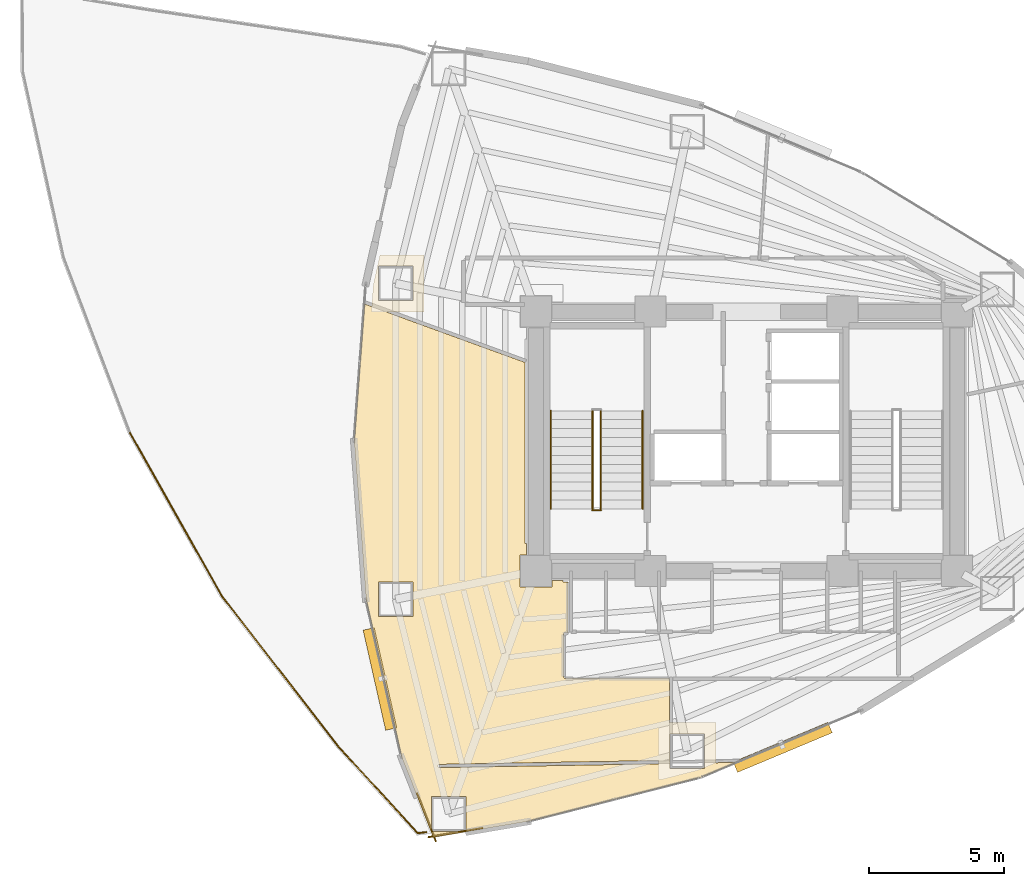
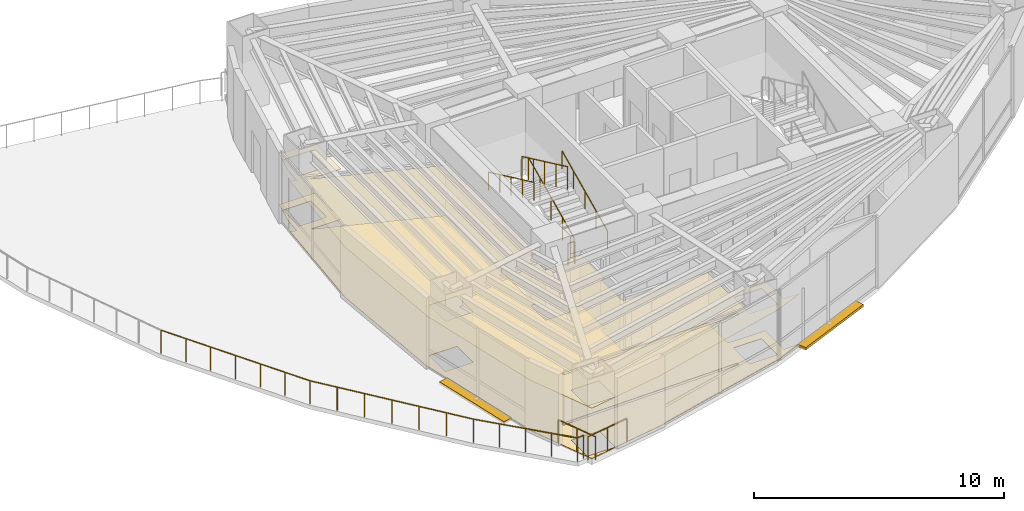
# One storey, part 17 of 19: 11 railings, 2 coverings, 2 shading devices.
"""IFC4 building model written with IfcOpenShell, lengths in metres."""

from ifc_helpers import new_model, si_unit, direction, frame, origin, origin_2d, place, context, subcontext, project, spatial, polyline, rectangle, circle, outline, extrude, material, layer, layer_set, type_object, element, save


model = new_model("IFC4")

# Units and contexts
model_context = context("Model", 3, precision=1e-05, world=origin(), true_north=direction((0.0, 1.0)))
body_context = subcontext(model_context, "Body", "Model", "MODEL_VIEW")
ifc_project = project(units=[si_unit("LENGTHUNIT", "METRE"), si_unit("AREAUNIT", "SQUARE_METRE"), si_unit("VOLUMEUNIT", "CUBIC_METRE"), si_unit("PLANEANGLEUNIT", "RADIAN"), si_unit("MASSUNIT", "GRAM", prefix="KILO")], contexts=[model_context])

# Site, building, storey
site_placement = place(None, origin())
site = spatial("IfcSite", under=ifc_project, at=site_placement, CompositionType="ELEMENT")
building_placement = place(site_placement, origin())
building = spatial("IfcBuilding", under=site, at=building_placement, Name="Menara Vayukalpa", CompositionType="ELEMENT")
storey_placement = place(building_placement, frame((0.0, 0.0, 118.860107421875)))
storey = spatial("IfcBuildingStorey", under=building, at=storey_placement, Name="L29", CompositionType="ELEMENT", Elevation=118.860107421875)

# Coverings
ifc_material_1 = material(Name="Mineral Fibre Acoustic Ceiling Tile", Category="masonry")
ifc_layer_1 = layer(ifc_material_1, 0.02490234375)
ifc_layer_set_1 = layer_set([ifc_layer_1], Name="Mineral Fibre Acoustic Ceiling Tile")
covering_type_1 = type_object("IfcCoveringType", Name="COV-CLG1", PredefinedType="CEILING", material=ifc_layer_set_1)
covering_1_placement = place(storey_placement, frame((0.0, 0.0, 2.449951171875)))
element("IfcCovering", 1, at=covering_1_placement, inside=storey, type_object=covering_type_1, Name="L29 Executive Boardroom Acoustic Ceiling", PredefinedType="CEILING", context=body_context, shape_type="SweptSolid", body=[
    extrude(outline(polyline([(25.16650390625, 10.11083984375), (25.16748046875, 10.11083984375), (25.16845703125, 10.110595703125), (25.16943359375, 10.1103515625), (25.17041015625, 10.110107421875), (25.17138671875, 10.109619140625), (25.172119140625, 10.109130859375), (25.1728515625, 10.108642578125), (25.173583984375, 10.10791015625), (25.17431640625, 10.107177734375), (25.1748046875, 10.1064453125), (25.175537109375, 10.105712890625), (25.17578125, 10.104736328125), (25.17626953125, 10.103759765625), (25.176513671875, 10.102783203125), (25.176513671875, 10.101806640625), (25.1767578125, 10.100830078125), (25.1767578125, 10.099853515625), (25.176513671875, 10.098876953125), (25.17626953125, 10.097900390625), (25.176025390625, 10.096923828125), (25.175537109375, 10.09619140625), (25.175048828125, 10.09521484375), (25.174560546875, 10.094482421875), (25.173828125, 10.09375), (25.173095703125, 10.093017578125), (25.17236328125, 10.092529296875), (25.17138671875, 10.092041015625), (25.170654296875, 10.091552734375), (23.90478515625, 9.562255859375), (23.903564453125, 9.561767578125), (17.5087890625, 7.930908203125), (17.5078125, 7.9306640625), (14.00830078125, 7.33642578125), (14.00732421875, 7.33642578125), (14.00634765625, 7.33642578125), (14.005615234375, 7.33642578125), (14.00439453125, 7.336669921875), (14.003662109375, 7.3369140625), (14.002685546875, 7.33740234375), (14.001708984375, 7.337646484375), (14.0009765625, 7.338134765625), (14.000244140625, 7.3388671875), (13.99951171875, 7.339599609375), (13.998779296875, 7.340087890625), (13.998291015625, 7.341064453125), (13.997802734375, 7.341796875), (13.997314453125, 7.3427734375), (12.831787109375, 10.310791015625), (12.83154296875, 10.3115234375), (12.831298828125, 10.312255859375), (11.5166015625, 16.155029296875), (11.516357421875, 16.156494140625), (11.078369140625, 21.999267578125), (11.078369140625, 22.0), (11.078369140625, 22.000732421875), (11.45849609375, 27.069580078125), (11.45849609375, 27.07080078125), (11.458740234375, 27.07177734375), (11.458984375, 27.072509765625), (11.45947265625, 27.073486328125), (11.4599609375, 27.07421875), (11.46044921875, 27.0751953125), (11.461181640625, 27.07568359375), (11.4619140625, 27.076416015625), (11.462646484375, 27.0771484375), (11.46337890625, 27.07763671875), (11.46435546875, 27.078125), (11.465087890625, 27.07861328125), (11.466064453125, 27.07861328125), (11.467041015625, 27.078857421875), (11.468017578125, 27.0791015625), (11.468994140625, 27.0791015625), (11.469970703125, 27.078857421875), (11.470947265625, 27.07861328125), (11.4716796875, 27.078369140625), (11.722900390625, 26.987060546875), (11.7841796875, 27.80419921875), (12.031982421875, 28.90576171875), (13.66650390625, 28.90576171875), (13.66650390625, 26.78564453125), (12.27587890625, 26.78564453125), (17.38330078125, 24.9267578125), (17.384521484375, 24.92626953125), (17.38525390625, 24.92578125), (17.385986328125, 24.92529296875), (17.386962890625, 24.924560546875), (17.3876953125, 24.923828125), (17.38818359375, 24.923095703125), (17.388671875, 24.922119140625), (17.38916015625, 24.92138671875), (17.389404296875, 24.92041015625), (17.389892578125, 24.919189453125), (17.389892578125, 24.918212890625), (17.389892578125, 24.917236328125), (17.389892578125, 18.2099609375), (17.449951171875, 18.2099609375), (17.449951171875, 17.7900390625), (17.2099609375, 17.7900390625), (17.2099609375, 16.610107421875), (18.389892578125, 16.610107421875), (18.389892578125, 16.85009765625), (18.81005859375, 16.85009765625), (18.81005859375, 16.7900390625), (18.97998046875, 16.7900390625), (18.98095703125, 16.7900390625), (18.98193359375, 16.789794921875), (18.98291015625, 16.78955078125), (18.98388671875, 16.789306640625), (18.984619140625, 16.788818359375), (18.985595703125, 16.788330078125), (18.986328125, 16.78759765625), (18.987060546875, 16.787109375), (18.98779296875, 16.786376953125), (18.98828125, 16.78564453125), (18.98876953125, 16.78466796875), (18.9892578125, 16.78369140625), (18.989501953125, 16.782958984375), (18.98974609375, 16.781982421875), (18.989990234375, 16.781005859375), (18.989990234375, 16.780029296875), (18.989990234375, 14.929931640625), (18.989990234375, 14.928955078125), (18.98974609375, 14.927978515625), (18.989501953125, 14.927001953125), (18.9892578125, 14.92626953125), (18.98876953125, 14.92529296875), (18.98828125, 14.92431640625), (18.98779296875, 14.923583984375), (18.987060546875, 14.9228515625), (18.986328125, 14.92236328125), (18.985595703125, 14.921630859375), (18.984619140625, 14.921142578125), (18.98388671875, 14.9208984375), (18.98291015625, 14.92041015625), (18.98193359375, 14.920166015625), (18.98095703125, 14.919921875), (18.97998046875, 14.919921875), (18.900390625, 14.919921875), (18.893310546875, 14.919677734375), (18.88623046875, 14.918701171875), (18.879638671875, 14.9169921875), (18.873291015625, 14.914794921875), (18.866943359375, 14.911865234375), (18.861083984375, 14.908203125), (18.85546875, 14.904052734375), (18.8505859375, 14.8994140625), (18.845947265625, 14.89453125), (18.841796875, 14.888916015625), (18.838134765625, 14.883056640625), (18.835205078125, 14.876708984375), (18.8330078125, 14.870361328125), (18.831298828125, 14.86376953125), (18.830322265625, 14.856689453125), (18.830078125, 14.849609375), (18.830078125, 13.290283203125), (18.830322265625, 13.283203125), (18.831298828125, 13.2763671875), (18.8330078125, 13.269775390625), (18.835205078125, 13.26318359375), (18.838134765625, 13.257080078125), (18.841796875, 13.251220703125), (18.845947265625, 13.24560546875), (18.8505859375, 13.240478515625), (18.85546875, 13.236083984375), (18.861083984375, 13.231689453125), (18.866943359375, 13.228271484375), (18.873291015625, 13.225341796875), (18.879638671875, 13.222900390625), (18.88623046875, 13.22119140625), (18.893310546875, 13.220458984375), (18.900390625, 13.219970703125), (22.72998046875, 13.219970703125), (22.73095703125, 13.219970703125), (22.73193359375, 13.2197265625), (22.73291015625, 13.219482421875), (22.73388671875, 13.21923828125), (22.734619140625, 13.21875), (22.735595703125, 13.21826171875), (22.736328125, 13.2177734375), (22.737060546875, 13.217041015625), (22.73779296875, 13.21630859375), (22.73828125, 13.215576171875), (22.73876953125, 13.214599609375), (22.7392578125, 13.2138671875), (22.739501953125, 13.212890625), (22.73974609375, 13.2119140625), (22.739990234375, 13.2109375), (22.739990234375, 13.2099609375), (22.739990234375, 11.592529296875), (24.46826171875, 11.592529296875), (24.46826171875, 10.0986328125), (25.16650390625, 10.11083984375)]), holes=[polyline([(14.228515625, 10.039794921875), (14.222412109375, 10.03955078125), (14.21630859375, 10.03857421875), (14.210693359375, 10.037109375), (14.205078125, 10.034912109375), (14.199951171875, 10.032470703125), (14.19482421875, 10.029296875), (14.190185546875, 10.025634765625), (14.185791015625, 10.021484375), (14.181884765625, 10.01708984375), (14.1787109375, 10.012451171875), (14.17578125, 10.007080078125), (14.17333984375, 10.001953125), (14.17138671875, 9.996337890625), (14.170166015625, 9.990478515625), (14.16943359375, 9.98486328125), (14.169189453125, 9.978759765625), (14.16943359375, 9.972900390625), (14.17041015625, 9.96728515625), (14.172119140625, 9.96142578125), (14.174072265625, 9.9560546875), (14.1767578125, 9.95068359375), (14.1796875, 9.94580078125), (14.183349609375, 9.941162109375), (14.1875, 9.936767578125), (14.19189453125, 9.932861328125), (14.19677734375, 9.929443359375), (14.20166015625, 9.926513671875), (14.20703125, 9.924072265625), (14.212890625, 9.922119140625), (14.218505859375, 9.9208984375), (14.224365234375, 9.920166015625), (14.23046875, 9.919921875), (22.34814453125, 10.0615234375), (22.34814453125, 10.181640625), (14.228515625, 10.039794921875)]), polyline([(15.208984375, 8.842529296875), (13.92919921875, 8.842529296875), (13.92919921875, 7.5625), (15.208984375, 7.5625), (15.208984375, 8.842529296875)]), polyline([(24.048095703125, 11.172607421875), (22.768310546875, 11.172607421875), (22.768310546875, 9.892578125), (24.048095703125, 9.892578125), (24.048095703125, 11.172607421875)]), polyline([(13.24658203125, 16.794189453125), (11.966552734375, 16.794189453125), (11.966552734375, 15.514404296875), (13.24658203125, 15.514404296875), (13.24658203125, 16.794189453125)]), polyline([(13.24658203125, 28.485595703125), (11.966552734375, 28.485595703125), (11.966552734375, 27.205810546875), (13.24658203125, 27.205810546875), (13.24658203125, 28.485595703125)])]), origin(), (0.0, 0.0, 1.0), 0.02490234375),
])
ifc_material_2 = material(Name="Porcelain Stoneware Floor Tile", Category="masonry")
ifc_layer_2 = layer(ifc_material_2, 0.02001953125)
ifc_layer_set_2 = layer_set([ifc_layer_2], Name="Porcelain Stoneware Floor Tile")
covering_type_2 = type_object("IfcCoveringType", Name="COV-FLR1", PredefinedType="FLOORING", material=ifc_layer_set_2)
covering_2_placement = place(storey_placement, origin())
element("IfcCovering", 2, at=covering_2_placement, inside=storey, type_object=covering_type_2, Name="L29 Executive Boardroom Porcelain Flooring", PredefinedType="FLOORING", context=body_context, shape_type="SweptSolid", body=[
    extrude(outline(polyline([(25.16650390625, 10.11083984375), (25.16748046875, 10.11083984375), (25.16845703125, 10.110595703125), (25.16943359375, 10.1103515625), (25.17041015625, 10.110107421875), (25.17138671875, 10.109619140625), (25.172119140625, 10.109130859375), (25.1728515625, 10.108642578125), (25.173583984375, 10.10791015625), (25.17431640625, 10.107177734375), (25.1748046875, 10.1064453125), (25.175537109375, 10.105712890625), (25.17578125, 10.104736328125), (25.17626953125, 10.103759765625), (25.176513671875, 10.102783203125), (25.176513671875, 10.101806640625), (25.1767578125, 10.100830078125), (25.1767578125, 10.099853515625), (25.176513671875, 10.098876953125), (25.17626953125, 10.097900390625), (25.176025390625, 10.096923828125), (25.175537109375, 10.09619140625), (25.175048828125, 10.09521484375), (25.174560546875, 10.094482421875), (25.173828125, 10.09375), (25.173095703125, 10.093017578125), (25.17236328125, 10.092529296875), (25.17138671875, 10.092041015625), (25.170654296875, 10.091552734375), (23.90478515625, 9.562255859375), (23.903564453125, 9.561767578125), (17.5087890625, 7.930908203125), (17.5078125, 7.9306640625), (14.00830078125, 7.33642578125), (14.00732421875, 7.33642578125), (14.00634765625, 7.33642578125), (14.005615234375, 7.33642578125), (14.00439453125, 7.336669921875), (14.003662109375, 7.3369140625), (14.002685546875, 7.33740234375), (14.001708984375, 7.337646484375), (14.0009765625, 7.338134765625), (14.000244140625, 7.3388671875), (13.99951171875, 7.339599609375), (13.998779296875, 7.340087890625), (13.998291015625, 7.341064453125), (13.997802734375, 7.341796875), (13.997314453125, 7.3427734375), (12.831787109375, 10.310791015625), (12.83154296875, 10.3115234375), (12.831298828125, 10.312255859375), (11.5166015625, 16.155029296875), (11.516357421875, 16.156494140625), (11.078369140625, 21.999267578125), (11.078369140625, 22.0), (11.078369140625, 22.000732421875), (11.45849609375, 27.069580078125), (11.45849609375, 27.07080078125), (11.458740234375, 27.07177734375), (11.458984375, 27.072509765625), (11.45947265625, 27.073486328125), (11.4599609375, 27.07421875), (11.46044921875, 27.0751953125), (11.461181640625, 27.07568359375), (11.4619140625, 27.076416015625), (11.462646484375, 27.0771484375), (11.46337890625, 27.07763671875), (11.46435546875, 27.078125), (11.465087890625, 27.07861328125), (11.466064453125, 27.07861328125), (11.467041015625, 27.078857421875), (11.468017578125, 27.0791015625), (11.468994140625, 27.0791015625), (11.469970703125, 27.078857421875), (11.470947265625, 27.07861328125), (11.4716796875, 27.078369140625), (11.722900390625, 26.987060546875), (11.7841796875, 27.80419921875), (12.031982421875, 28.90576171875), (13.66650390625, 28.90576171875), (13.66650390625, 26.78564453125), (12.27587890625, 26.78564453125), (17.38330078125, 24.9267578125), (17.384521484375, 24.92626953125), (17.38525390625, 24.92578125), (17.385986328125, 24.92529296875), (17.386962890625, 24.924560546875), (17.3876953125, 24.923828125), (17.38818359375, 24.923095703125), (17.388671875, 24.922119140625), (17.38916015625, 24.92138671875), (17.389404296875, 24.92041015625), (17.389892578125, 24.919189453125), (17.389892578125, 24.918212890625), (17.389892578125, 24.917236328125), (17.389892578125, 18.2099609375), (17.449951171875, 18.2099609375), (17.449951171875, 17.7900390625), (17.2099609375, 17.7900390625), (17.2099609375, 16.610107421875), (18.389892578125, 16.610107421875), (18.389892578125, 16.85009765625), (18.81005859375, 16.85009765625), (18.81005859375, 16.7900390625), (18.97998046875, 16.7900390625), (18.98095703125, 16.7900390625), (18.98193359375, 16.789794921875), (18.98291015625, 16.78955078125), (18.98388671875, 16.789306640625), (18.984619140625, 16.788818359375), (18.985595703125, 16.788330078125), (18.986328125, 16.78759765625), (18.987060546875, 16.787109375), (18.98779296875, 16.786376953125), (18.98828125, 16.78564453125), (18.98876953125, 16.78466796875), (18.9892578125, 16.78369140625), (18.989501953125, 16.782958984375), (18.98974609375, 16.781982421875), (18.989990234375, 16.781005859375), (18.989990234375, 16.780029296875), (18.989990234375, 14.929931640625), (18.989990234375, 14.928955078125), (18.98974609375, 14.927978515625), (18.989501953125, 14.927001953125), (18.9892578125, 14.92626953125), (18.98876953125, 14.92529296875), (18.98828125, 14.92431640625), (18.98779296875, 14.923583984375), (18.987060546875, 14.9228515625), (18.986328125, 14.92236328125), (18.985595703125, 14.921630859375), (18.984619140625, 14.921142578125), (18.98388671875, 14.9208984375), (18.98291015625, 14.92041015625), (18.98193359375, 14.920166015625), (18.98095703125, 14.919921875), (18.97998046875, 14.919921875), (18.900390625, 14.919921875), (18.893310546875, 14.919677734375), (18.88623046875, 14.918701171875), (18.879638671875, 14.9169921875), (18.873291015625, 14.914794921875), (18.866943359375, 14.911865234375), (18.861083984375, 14.908203125), (18.85546875, 14.904052734375), (18.8505859375, 14.8994140625), (18.845947265625, 14.89453125), (18.841796875, 14.888916015625), (18.838134765625, 14.883056640625), (18.835205078125, 14.876708984375), (18.8330078125, 14.870361328125), (18.831298828125, 14.86376953125), (18.830322265625, 14.856689453125), (18.830078125, 14.849609375), (18.830078125, 13.290283203125), (18.830322265625, 13.283203125), (18.831298828125, 13.2763671875), (18.8330078125, 13.269775390625), (18.835205078125, 13.26318359375), (18.838134765625, 13.257080078125), (18.841796875, 13.251220703125), (18.845947265625, 13.24560546875), (18.8505859375, 13.240478515625), (18.85546875, 13.236083984375), (18.861083984375, 13.231689453125), (18.866943359375, 13.228271484375), (18.873291015625, 13.225341796875), (18.879638671875, 13.222900390625), (18.88623046875, 13.22119140625), (18.893310546875, 13.220458984375), (18.900390625, 13.219970703125), (22.72998046875, 13.219970703125), (22.73095703125, 13.219970703125), (22.73193359375, 13.2197265625), (22.73291015625, 13.219482421875), (22.73388671875, 13.21923828125), (22.734619140625, 13.21875), (22.735595703125, 13.21826171875), (22.736328125, 13.2177734375), (22.737060546875, 13.217041015625), (22.73779296875, 13.21630859375), (22.73828125, 13.215576171875), (22.73876953125, 13.214599609375), (22.7392578125, 13.2138671875), (22.739501953125, 13.212890625), (22.73974609375, 13.2119140625), (22.739990234375, 13.2109375), (22.739990234375, 13.2099609375), (22.739990234375, 11.592529296875), (24.46826171875, 11.592529296875), (24.46826171875, 10.0986328125), (25.16650390625, 10.11083984375)]), holes=[polyline([(14.228515625, 10.039794921875), (14.222412109375, 10.03955078125), (14.21630859375, 10.03857421875), (14.210693359375, 10.037109375), (14.205078125, 10.034912109375), (14.199951171875, 10.032470703125), (14.19482421875, 10.029296875), (14.190185546875, 10.025634765625), (14.185791015625, 10.021484375), (14.181884765625, 10.01708984375), (14.1787109375, 10.012451171875), (14.17578125, 10.007080078125), (14.17333984375, 10.001953125), (14.17138671875, 9.996337890625), (14.170166015625, 9.990478515625), (14.16943359375, 9.98486328125), (14.169189453125, 9.978759765625), (14.16943359375, 9.972900390625), (14.17041015625, 9.96728515625), (14.172119140625, 9.96142578125), (14.174072265625, 9.9560546875), (14.1767578125, 9.95068359375), (14.1796875, 9.94580078125), (14.183349609375, 9.941162109375), (14.1875, 9.936767578125), (14.19189453125, 9.932861328125), (14.19677734375, 9.929443359375), (14.20166015625, 9.926513671875), (14.20703125, 9.924072265625), (14.212890625, 9.922119140625), (14.218505859375, 9.9208984375), (14.224365234375, 9.920166015625), (14.23046875, 9.919921875), (22.34814453125, 10.0615234375), (22.34814453125, 10.181640625), (14.228515625, 10.039794921875)]), polyline([(15.208984375, 8.842529296875), (13.92919921875, 8.842529296875), (13.92919921875, 7.5625), (15.208984375, 7.5625), (15.208984375, 8.842529296875)]), polyline([(24.048095703125, 11.172607421875), (22.768310546875, 11.172607421875), (22.768310546875, 9.892578125), (24.048095703125, 9.892578125), (24.048095703125, 11.172607421875)]), polyline([(13.24658203125, 16.794189453125), (11.966552734375, 16.794189453125), (11.966552734375, 15.514404296875), (13.24658203125, 15.514404296875), (13.24658203125, 16.794189453125)]), polyline([(13.24658203125, 28.485595703125), (11.966552734375, 28.485595703125), (11.966552734375, 27.205810546875), (13.24658203125, 27.205810546875), (13.24658203125, 28.485595703125)])]), origin(), (0.0, 0.0, 1.0), 0.019775390625),
])

# Railings
ifc_material_3 = material(Name="Laminated Glass and Stainless Steel 316 Guardrail", Category="steel")
railing_type_1 = type_object("IfcRailingType", Name="RLG-EXT115", PredefinedType="GUARDRAIL", material=ifc_material_3)
railing_1_placement = place(storey_placement, frame((13.427490234375, 7.492431640625, 0.0)))
element("IfcRailing", 3, at=railing_1_placement, inside=storey, type_object=railing_type_1, Name="L29 Sky Terrace Perimeter Guardrail 01", PredefinedType="GUARDRAIL", context=body_context, shape_type="SweptSolid", body=[
    extrude(circle(Radius=0.02392578125, at=origin_2d()), frame((0.0, 0.0, 1.1259765625), z_axis=(-0.675498146377, 0.73736168482, 0.0), x_axis=(-0.73736168482, -0.675498146377, 0.0)), (0.0, 0.0, 1.0), 4.344970703125),
    extrude(circle(Radius=0.02099609375, at=origin_2d()), origin(), (0.0, 0.0, 1.0), 1.101806640625),
    extrude(circle(Radius=0.02099609375, at=origin_2d()), frame((-0.73388671875, 0.801025390625, 0.0)), (0.0, 0.0, 1.0), 1.101806640625),
    extrude(circle(Radius=0.02099609375, at=origin_2d()), frame((-1.467529296875, 1.60205078125, 0.0)), (0.0, 0.0, 1.0), 1.101806640625),
    extrude(circle(Radius=0.02099609375, at=origin_2d()), frame((-2.201171875, 2.40283203125, 0.0)), (0.0, 0.0, 1.0), 1.101806640625),
    extrude(circle(Radius=0.02099609375, at=origin_2d()), frame((-2.93505859375, 3.203857421875, 0.0)), (0.0, 0.0, 1.0), 1.101806640625),
])
railing_2_placement = place(storey_placement, frame((10.492431640625, 10.6962890625, 0.0)))
element("IfcRailing", 4, at=railing_2_placement, inside=storey, type_object=railing_type_1, Name="L29 Sky Terrace Perimeter Guardrail 02", PredefinedType="GUARDRAIL", context=body_context, shape_type="SweptSolid", body=[
    extrude(circle(Radius=0.02392578125, at=origin_2d()), frame((0.0, 0.0, 1.1259765625), z_axis=(-0.612198958779, 0.790703759236, 0.0), x_axis=(-0.790703759236, -0.612198958779, 0.0)), (0.0, 0.0, 1.0), 7.071044921875),
    extrude(circle(Radius=0.02099609375, at=origin_2d()), origin(), (0.0, 0.0, 1.0), 1.101806640625),
    extrude(circle(Radius=0.02099609375, at=origin_2d()), frame((-0.721435546875, 0.931884765625, 0.0)), (0.0, 0.0, 1.0), 1.101806640625),
    extrude(circle(Radius=0.02099609375, at=origin_2d()), frame((-1.44287109375, 1.86376953125, 0.0)), (0.0, 0.0, 1.0), 1.101806640625),
    extrude(circle(Radius=0.02099609375, at=origin_2d()), frame((-2.16455078125, 2.79541015625, 0.0)), (0.0, 0.0, 1.0), 1.101806640625),
    extrude(circle(Radius=0.02099609375, at=origin_2d()), frame((-2.885986328125, 3.727294921875, 0.0)), (0.0, 0.0, 1.0), 1.101806640625),
    extrude(circle(Radius=0.02099609375, at=origin_2d()), frame((-3.607421875, 4.6591796875, 0.0)), (0.0, 0.0, 1.0), 1.101806640625),
    extrude(circle(Radius=0.02099609375, at=origin_2d()), frame((-4.328857421875, 5.591064453125, 0.0)), (0.0, 0.0, 1.0), 1.101806640625),
])
railing_3_placement = place(storey_placement, frame((6.16357421875, 16.287353515625, 0.0)))
element("IfcRailing", 5, at=railing_3_placement, inside=storey, type_object=railing_type_1, Name="L29 Sky Terrace Perimeter Guardrail 03", PredefinedType="GUARDRAIL", context=body_context, shape_type="SweptSolid", body=[
    extrude(circle(Radius=0.02392578125, at=origin_2d()), frame((0.0, 0.0, 1.1259765625), z_axis=(-0.490234420763, 0.871590622195, 0.0), x_axis=(-0.871590622195, -0.490234420763, 0.0)), (0.0, 0.0, 1.0), 6.915283203125),
    extrude(circle(Radius=0.02099609375, at=origin_2d()), origin(), (0.0, 0.0, 1.0), 1.101806640625),
    extrude(circle(Radius=0.02099609375, at=origin_2d()), frame((-0.56494140625, 1.004638671875, 0.0)), (0.0, 0.0, 1.0), 1.101806640625),
    extrude(circle(Radius=0.02099609375, at=origin_2d()), frame((-1.130126953125, 2.009033203125, 0.0)), (0.0, 0.0, 1.0), 1.101806640625),
    extrude(circle(Radius=0.02099609375, at=origin_2d()), frame((-1.695068359375, 3.013671875, 0.0)), (0.0, 0.0, 1.0), 1.101806640625),
    extrude(circle(Radius=0.02099609375, at=origin_2d()), frame((-2.260009765625, 4.018310546875, 0.0)), (0.0, 0.0, 1.0), 1.101806640625),
    extrude(circle(Radius=0.02099609375, at=origin_2d()), frame((-2.8251953125, 5.022705078125, 0.0)), (0.0, 0.0, 1.0), 1.101806640625),
    extrude(circle(Radius=0.02099609375, at=origin_2d()), frame((-3.39013671875, 6.02734375, 0.0)), (0.0, 0.0, 1.0), 1.101806640625),
])
railing_4_placement = place(storey_placement, frame((13.740478515625, 7.531494140625, 0.0)))
element("IfcRailing", 6, at=railing_4_placement, inside=storey, type_object=railing_type_1, Name="L29 Sky Terrace Perimeter Guardrail 10", PredefinedType="GUARDRAIL", context=body_context, shape_type="SweptSolid", body=[
    extrude(circle(Radius=0.02392578125, at=origin_2d()), frame((0.0, 0.0, 1.1259765625), z_axis=(-0.992301674614, -0.12384420276, 0.0), x_axis=(0.12384420276, -0.992301674614, 0.0)), (0.0, 0.0, 1.0), 0.3154296875),
    extrude(circle(Radius=0.02099609375, at=origin_2d()), origin(), (0.0, 0.0, 1.0), 1.101806640625),
    extrude(circle(Radius=0.02099609375, at=origin_2d()), frame((-0.31298828125, -0.0390625, 0.0)), (0.0, 0.0, 1.0), 1.101806640625),
])
railing_5_placement = place(storey_placement, frame((13.39990234375, 8.9736328125, 0.0)))
element("IfcRailing", 7, at=railing_5_placement, inside=storey, type_object=railing_type_1, Name="L29 Column Corner Spandrel Guardrail 13-1", PredefinedType="GUARDRAIL", context=body_context, shape_type="SweptSolid", body=[
    extrude(circle(Radius=0.02392578125, at=origin_2d()), frame((0.0, 0.0, 1.1259765625), z_axis=(0.365573386764, -0.930782519652, 0.0), x_axis=(0.930782519652, 0.365573386764, 0.0)), (0.0, 0.0, 1.0), 1.91259765625),
    extrude(circle(Radius=0.02099609375, at=origin_2d()), origin(), (0.0, 0.0, 1.0), 1.101806640625),
    extrude(circle(Radius=0.02099609375, at=origin_2d()), frame((0.349609375, -0.89013671875, 0.0)), (0.0, 0.0, 1.0), 1.101806640625),
    extrude(circle(Radius=0.02099609375, at=origin_2d()), frame((0.69921875, -1.7802734375, 0.0)), (0.0, 0.0, 1.0), 1.101806640625),
])
railing_6_placement = place(storey_placement, frame((13.827880859375, 7.346435546875, 0.0)))
element("IfcRailing", 8, at=railing_6_placement, inside=storey, type_object=railing_type_1, Name="L29 Column Corner Spandrel Guardrail 14-1", PredefinedType="GUARDRAIL", context=body_context, shape_type="SweptSolid", body=[
    extrude(circle(Radius=0.02392578125, at=origin_2d()), frame((0.0, 0.0, 1.1259765625), z_axis=(0.985895977605, 0.16735925831, 0.0), x_axis=(-0.16735925831, 0.985895977605, 0.0)), (0.0, 0.0, 1.0), 2.01904296875),
    extrude(circle(Radius=0.02099609375, at=origin_2d()), origin(), (0.0, 0.0, 1.0), 1.101806640625),
    extrude(circle(Radius=0.02099609375, at=origin_2d()), frame((0.9951171875, 0.1689453125, 0.0)), (0.0, 0.0, 1.0), 1.101806640625),
    extrude(circle(Radius=0.02099609375, at=origin_2d()), frame((1.990478515625, 0.337890625, 0.0)), (0.0, 0.0, 1.0), 1.101806640625),
])
ifc_material_4 = material(Name="Powder-Coated Galvanised Steel Guardrail", Category="steel")
railing_type_2 = type_object("IfcRailingType", Name="RLG-STG110", PredefinedType="GUARDRAIL", material=ifc_material_4)
railing_7_placement = place(storey_placement, frame((20.199951171875, 19.5, 0.15478515625)))
element("IfcRailing", 9, at=railing_7_placement, inside=storey, type_object=railing_type_2, Name="L29 ST-1 stair guard 1", PredefinedType="GUARDRAIL", context=body_context, shape_type="SweptSolid", body=[
    extrude(circle(Radius=0.02392578125, at=origin_2d()), frame((0.0, 0.0, 1.09619140625), z_axis=(0.0, 0.90511648382, 0.425163675209), x_axis=(-1.0, 0.0, 0.0)), (0.0, 0.0, 1.0), 4.010498046875),
    extrude(circle(Radius=0.02099609375, at=origin_2d()), origin(), (0.0, 0.0, 1.0), 1.072021484375),
    extrude(circle(Radius=0.02099609375, at=origin_2d()), frame((0.0, 0.907470703125, 0.42626953125)), (0.0, 0.0, 1.0), 1.072021484375),
    extrude(circle(Radius=0.02099609375, at=origin_2d()), frame((0.0, 1.81494140625, 0.8525390625)), (0.0, 0.0, 1.0), 1.072021484375),
    extrude(circle(Radius=0.02099609375, at=origin_2d()), frame((0.0, 2.722412109375, 1.27880859375)), (0.0, 0.0, 1.0), 1.072021484375),
    extrude(circle(Radius=0.02099609375, at=origin_2d()), frame((0.0, 3.6298828125, 1.705078125)), (0.0, 0.0, 1.0), 1.072021484375),
])
railing_8_placement = place(storey_placement, frame((19.89990234375, 23.1298828125, 2.014892578125)))
element("IfcRailing", 10, at=railing_8_placement, inside=storey, type_object=railing_type_2, Name="L29 ST-1 stair guard 3", PredefinedType="GUARDRAIL", context=body_context, shape_type="SweptSolid", body=[
    extrude(circle(Radius=0.02392578125, at=origin_2d()), frame((0.0, 0.0, 1.09619140625), z_axis=(0.0, -0.90511648382, 0.425163675209), x_axis=(1.0, 0.0, 0.0)), (0.0, 0.0, 1.0), 4.010498046875),
    extrude(circle(Radius=0.02099609375, at=origin_2d()), origin(), (0.0, 0.0, 1.0), 1.072021484375),
    extrude(circle(Radius=0.02099609375, at=origin_2d()), frame((0.0, -0.907470703125, 0.42626953125)), (0.0, 0.0, 1.0), 1.072021484375),
    extrude(circle(Radius=0.02099609375, at=origin_2d()), frame((0.0, -1.81494140625, 0.8525390625)), (0.0, 0.0, 1.0), 1.072021484375),
    extrude(circle(Radius=0.02099609375, at=origin_2d()), frame((0.0, -2.722412109375, 1.27880859375)), (0.0, 0.0, 1.0), 1.072021484375),
    extrude(circle(Radius=0.02099609375, at=origin_2d()), frame((0.0, -3.6298828125, 1.705078125)), (0.0, 0.0, 1.0), 1.072021484375),
])
railing_9_placement = place(storey_placement, frame((20.2099609375, 19.449951171875, 0.0)))
element("IfcRailing", 11, at=railing_9_placement, inside=storey, type_object=railing_type_2, Name="L29 ST-1 stair guard 4", PredefinedType="GUARDRAIL", context=body_context, shape_type="SweptSolid", body=[
    extrude(circle(Radius=0.02392578125, at=origin_2d()), frame((0.0, 0.0, 1.09619140625), z_axis=(-1.0, 0.0, 0.0), x_axis=(0.0, -1.0, 0.0)), (0.0, 0.0, 1.0), 0.320068359375),
    extrude(circle(Radius=0.02099609375, at=origin_2d()), origin(), (0.0, 0.0, 1.0), 1.072021484375),
    extrude(circle(Radius=0.02099609375, at=origin_2d()), frame((-0.320068359375, 0.0, 0.0)), (0.0, 0.0, 1.0), 1.072021484375),
])
ifc_material_5 = material(Name="Stainless Steel 316 Tubular Handrail", Category="steel")
railing_type_3 = type_object("IfcRailingType", Name="RLG-STH090", PredefinedType="HANDRAIL", material=ifc_material_5)
railing_10_placement = place(storey_placement, frame((21.75, 19.5, 0.15478515625)))
element("IfcRailing", 12, at=railing_10_placement, inside=storey, type_object=railing_type_3, Name="L29 ST-1 stair handrail 1", PredefinedType="HANDRAIL", context=body_context, shape_type="SweptSolid", body=[
    extrude(circle(Radius=0.02392578125, at=origin_2d()), frame((0.0, 0.0, 0.8759765625), z_axis=(0.0, 0.90511648382, 0.425163675209), x_axis=(-1.0, 0.0, 0.0)), (0.0, 0.0, 1.0), 4.010498046875),
    extrude(circle(Radius=0.02099609375, at=origin_2d()), origin(), (0.0, 0.0, 1.0), 0.851806640625),
    extrude(circle(Radius=0.02099609375, at=origin_2d()), frame((0.0, 0.907470703125, 0.42626953125)), (0.0, 0.0, 1.0), 0.851806640625),
    extrude(circle(Radius=0.02099609375, at=origin_2d()), frame((0.0, 1.81494140625, 0.8525390625)), (0.0, 0.0, 1.0), 0.851806640625),
    extrude(circle(Radius=0.02099609375, at=origin_2d()), frame((0.0, 2.722412109375, 1.27880859375)), (0.0, 0.0, 1.0), 0.851806640625),
    extrude(circle(Radius=0.02099609375, at=origin_2d()), frame((0.0, 3.6298828125, 1.705078125)), (0.0, 0.0, 1.0), 0.851806640625),
])
railing_11_placement = place(storey_placement, frame((18.35009765625, 23.1298828125, 2.014892578125)))
element("IfcRailing", 13, at=railing_11_placement, inside=storey, type_object=railing_type_3, Name="L29 ST-1 stair handrail 2", PredefinedType="HANDRAIL", context=body_context, shape_type="SweptSolid", body=[
    extrude(circle(Radius=0.02392578125, at=origin_2d()), frame((0.0, 0.0, 0.8759765625), z_axis=(0.0, -0.90511648382, 0.425163675209), x_axis=(1.0, 0.0, 0.0)), (0.0, 0.0, 1.0), 4.010498046875),
    extrude(circle(Radius=0.02099609375, at=origin_2d()), origin(), (0.0, 0.0, 1.0), 0.851806640625),
    extrude(circle(Radius=0.02099609375, at=origin_2d()), frame((0.0, -0.907470703125, 0.42626953125)), (0.0, 0.0, 1.0), 0.851806640625),
    extrude(circle(Radius=0.02099609375, at=origin_2d()), frame((0.0, -1.81494140625, 0.8525390625)), (0.0, 0.0, 1.0), 0.851806640625),
    extrude(circle(Radius=0.02099609375, at=origin_2d()), frame((0.0, -2.722412109375, 1.27880859375)), (0.0, 0.0, 1.0), 0.851806640625),
    extrude(circle(Radius=0.02099609375, at=origin_2d()), frame((0.0, -3.6298828125, 1.705078125)), (0.0, 0.0, 1.0), 0.851806640625),
])

# Shading devices
ifc_material_6 = material(Name="Glazed Terracotta Ceramic Baguette Extrusion", Category="masonry")
ifc_layer_3 = layer(ifc_material_6, 0.1201171875)
ifc_layer_set_3 = layer_set([ifc_layer_3], Name="Glazed Terracotta Ceramic Baguette Extrusion")
shading_device_type = type_object("IfcShadingDeviceType", Name="SHD-SS1", PredefinedType="USERDEFINED", material=ifc_layer_set_3)
for number, where, z_axis, x_axis, name in (
    (14, (12.027587890625, 13.20068359375, -0.10009765625), (0.0, 0.0, 1.0), (0.219522692765, -0.975607394068, 0.0), "L29 Horizontal Terracotta Sunshade Band 13"),
    (15, (26.940673828125, 10.66943359375, -0.10009765625), (0.0, 0.0, 1.0), (0.922544824647, 0.385889940938, 0.0), "L29 Horizontal Terracotta Sunshade Band 17"),
):
    element("IfcShadingDevice", number, at=place(storey_placement, frame(where, z_axis=z_axis, x_axis=x_axis)), inside=storey, type_object=shading_device_type, Name=name, ObjectType="SUNSHADE", PredefinedType="USERDEFINED", context=body_context, shape_type="SweptSolid", body=[
        extrude(rectangle(XDim=3.800048828125, YDim=0.419921875, at=origin_2d()), origin(), (0.0, 0.0, 1.0), 0.1201171875),
    ])

save(model, "model.ifc")
